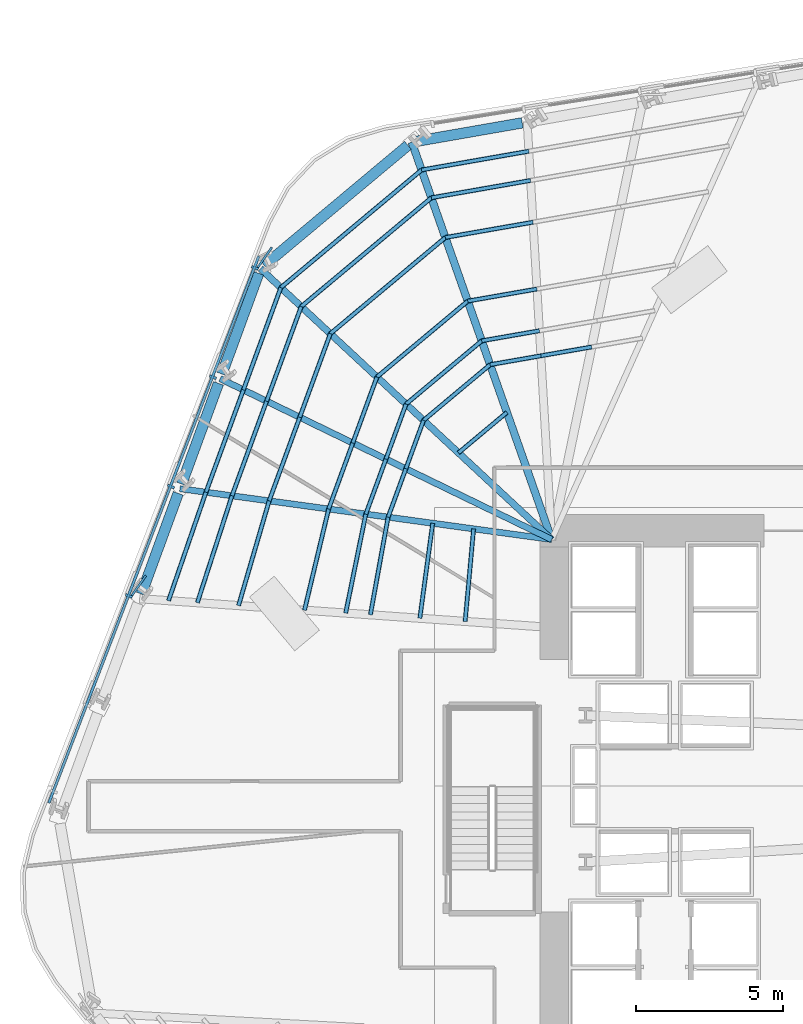
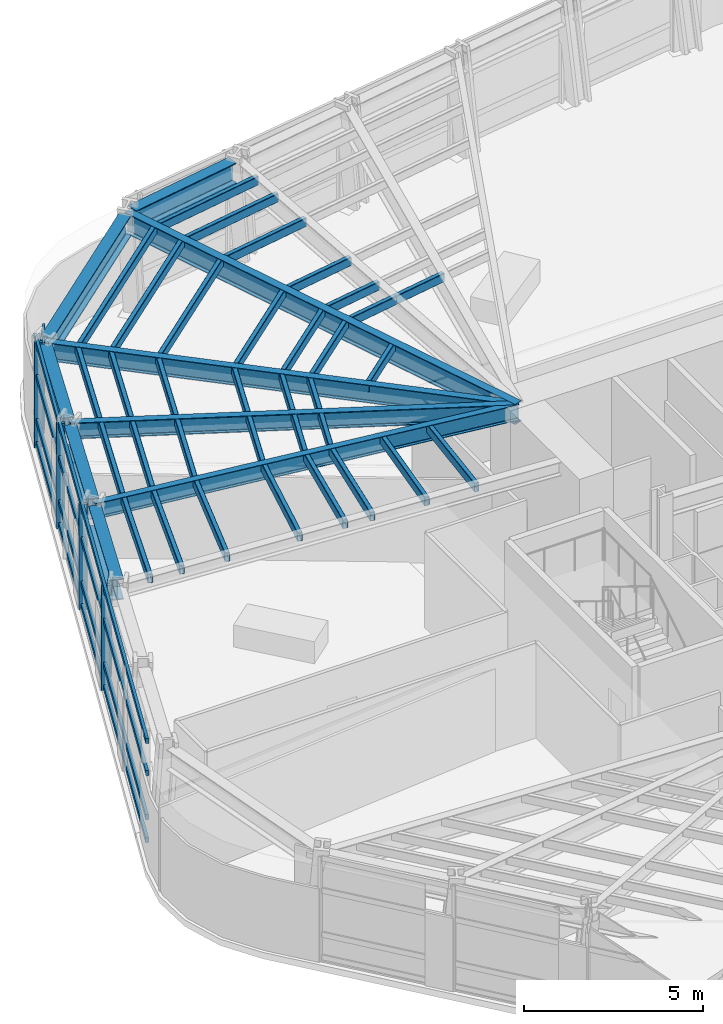
# One storey, part 5 of 16: 44 members, 9 beams, 1 element without a shape of its own.
"""IFC4 building model written with IfcOpenShell, lengths in metres."""

from ifc_helpers import new_model, si_unit, direction, frame, origin, origin_2d, place, context, subcontext, project, spatial, rectangle, hollow_rectangle, i_section, extrude, material, layer, layer_set, material_profile, profile_set, type_object, element, aggregate, save


model = new_model("IFC4")

# Units and contexts
model_context = context("Model", 3, precision=1e-05, world=origin(), true_north=direction((0.0, 1.0)))
body_context = subcontext(model_context, "Body", "Model", "MODEL_VIEW")
ifc_project = project(units=[si_unit("LENGTHUNIT", "METRE"), si_unit("AREAUNIT", "SQUARE_METRE"), si_unit("VOLUMEUNIT", "CUBIC_METRE"), si_unit("PLANEANGLEUNIT", "RADIAN"), si_unit("MASSUNIT", "GRAM", prefix="KILO")], contexts=[model_context])

# Site, building, storey
site_placement = place(None, origin())
site = spatial("IfcSite", under=ifc_project, at=site_placement, CompositionType="ELEMENT")
building_placement = place(site_placement, origin())
building = spatial("IfcBuilding", under=site, at=building_placement, Name="Valkerne Bourse Tower", CompositionType="ELEMENT")
storey_placement = place(building_placement, frame((0.0, 0.0, 62.0)))
storey = spatial("IfcBuildingStorey", under=building, at=storey_placement, Name="L15", CompositionType="ELEMENT", Elevation=62.0)

# Beams
ifc_material_1 = material(Name="Steel ASTM A992", Category="steel")
ifc_material_profile_1 = material_profile(ifc_material_1, i_section(OverallWidth=0.209228515625, OverallDepth=0.533447265625, WebThickness=0.01025390625, FlangeThickness=0.015625, FilletRadius=0.017822265625, at=origin_2d()), Name="W21X62")
ifc_profile_set_1 = profile_set([ifc_material_profile_1], Name="Steel ASTM A992")
beam_type_1 = type_object("IfcBeamType", Name="BM-W21X62", PredefinedType="JOIST", material=ifc_profile_set_1)
beam_1_placement = place(storey_placement, frame((24.918212890625, 37.13525390625, 3.313232421875), z_axis=(0.990767269743, -0.135573659704, 0.0), x_axis=(0.135573659704, 0.990767269743, 0.0)))
element("IfcBeam", 1, at=beam_1_placement, inside=storey, type_object=beam_type_1, Name="L15 Radial Composite Floor Beam 14", PredefinedType="JOIST", context=body_context, shape_type="SweptSolid", body=[
    extrude(i_section(OverallWidth=0.209228515625, OverallDepth=0.533447265625, WebThickness=0.01025390625, FlangeThickness=0.015625, FilletRadius=0.017822265625, at=origin_2d()), origin(), (0.0, 0.0, 1.0), 12.800048828125),
])
ifc_material_profile_2 = material_profile(ifc_material_1, i_section(OverallWidth=0.2138671875, OverallDepth=0.548583984375, WebThickness=0.0146484375, FlangeThickness=0.023681640625, FilletRadius=0.017822265625, at=origin_2d()), Name="W21X93")
ifc_profile_set_2 = profile_set([ifc_material_profile_2], Name="Steel ASTM A992")
beam_type_2 = type_object("IfcBeamType", Name="BM-W21X93", PredefinedType="BEAM", material=ifc_profile_set_2)
beam_2_placement = place(storey_placement, frame((26.29150390625, 40.8876953125, 3.3056640625), z_axis=(0.899662945476, -0.436585140078, 0.0), x_axis=(0.436585140078, 0.899662945476, 0.0)))
element("IfcBeam", 2, at=beam_2_placement, inside=storey, type_object=beam_type_2, Name="L15 Radial Composite Floor Beam 13", PredefinedType="BEAM", context=body_context, shape_type="SweptSolid", body=[
    extrude(i_section(OverallWidth=0.2138671875, OverallDepth=0.548583984375, WebThickness=0.0146484375, FlangeThickness=0.023681640625, FilletRadius=0.017822265625, at=origin_2d()), origin(), (0.0, 0.0, 1.0), 12.56982421875),
])
ifc_material_profile_3 = material_profile(ifc_material_1, i_section(OverallWidth=0.228271484375, OverallDepth=0.607177734375, WebThickness=0.01123046875, FlangeThickness=0.017333984375, FilletRadius=0.017822265625, at=origin_2d()), Name="W24X76")
ifc_profile_set_3 = profile_set([ifc_material_profile_3], Name="Steel ASTM A992")
beam_type_3 = type_object("IfcBeamType", Name="BM-W24X76", PredefinedType="JOIST", material=ifc_profile_set_3)
beam_3_placement = place(storey_placement, frame((27.664794921875, 44.640380859375, 3.2763671875), z_axis=(0.732247878881, -0.68103821029, 0.0), x_axis=(0.68103821029, 0.732247878881, 0.0)))
element("IfcBeam", 3, at=beam_3_placement, inside=storey, type_object=beam_type_3, Name="L15 Radial Composite Floor Beam 12", PredefinedType="JOIST", context=body_context, shape_type="SweptSolid", body=[
    extrude(i_section(OverallWidth=0.228271484375, OverallDepth=0.607177734375, WebThickness=0.01123046875, FlangeThickness=0.017333984375, FilletRadius=0.017822265625, at=origin_2d()), origin(), (0.0, 0.0, 1.0), 13.568115234375),
])
ifc_material_profile_4 = material_profile(ifc_material_1, i_section(OverallWidth=0.255859375, OverallDepth=0.693359375, WebThickness=0.014404296875, FlangeThickness=0.023681640625, FilletRadius=0.02294921875, at=origin_2d()), Name="W27X114")
ifc_profile_set_4 = profile_set([ifc_material_profile_4], Name="Steel ASTM A992")
beam_type_4 = type_object("IfcBeamType", Name="BM-W27X114", PredefinedType="BEAM", material=ifc_profile_set_4)
beam_4_placement = place(storey_placement, frame((32.826904296875, 48.956787109375, 3.2333984375), z_axis=(0.332102982325, -0.943243133625, 0.0), x_axis=(0.943243133625, 0.332102982325, 0.0)))
element("IfcBeam", 4, at=beam_4_placement, inside=storey, type_object=beam_type_4, Name="L15 Radial Composite Floor Beam 11", PredefinedType="BEAM", context=body_context, shape_type="SweptSolid", body=[
    extrude(i_section(OverallWidth=0.255859375, OverallDepth=0.693359375, WebThickness=0.014404296875, FlangeThickness=0.023681640625, FilletRadius=0.02294921875, at=origin_2d()), origin(), (0.0, 0.0, 1.0), 14.37255859375),
])
ifc_material_profile_5 = material_profile(ifc_material_1, i_section(OverallWidth=0.358154296875, OverallDepth=0.7060546875, WebThickness=0.018310546875, FlangeThickness=0.0302734375, FilletRadius=0.02294921875, at=origin_2d()), Name="W27X178")
ifc_profile_set_5 = profile_set([ifc_material_profile_5], Name="Steel ASTM A992")
beam_type_5 = type_object("IfcBeamType", Name="BM-W27X178", PredefinedType="SPANDREL", material=ifc_profile_set_5)
beam_5_placement = place(storey_placement, frame((36.595947265625, 49.614501953125, 3.22705078125), z_axis=(-0.985116520331, -0.171887874412, 0.0), x_axis=(0.171887874412, -0.985116520331, 0.0)))
element("IfcBeam", 5, at=beam_5_placement, inside=storey, type_object=beam_type_5, Name="L15 Hexagonal Spandrel Ring Beam 10", PredefinedType="SPANDREL", context=body_context, shape_type="SweptSolid", body=[
    extrude(i_section(OverallWidth=0.358154296875, OverallDepth=0.7060546875, WebThickness=0.018310546875, FlangeThickness=0.0302734375, FilletRadius=0.02294921875, at=origin_2d()), origin(), (0.0, 0.0, 1.0), 3.656005859375),
])
beam_6_placement = place(storey_placement, frame((32.696533203125, 48.847900390625, 3.22705078125), z_axis=(-0.767149008473, -0.641468938296, 0.0), x_axis=(0.641468938296, -0.767149008473, 0.0)))
element("IfcBeam", 6, at=beam_6_placement, inside=storey, type_object=beam_type_5, Name="L15 Hexagonal Spandrel Ring Beam 11", PredefinedType="SPANDREL", context=body_context, shape_type="SweptSolid", body=[
    extrude(i_section(OverallWidth=0.358154296875, OverallDepth=0.7060546875, WebThickness=0.018310546875, FlangeThickness=0.0302734375, FilletRadius=0.02294921875, at=origin_2d()), origin(), (0.0, 0.0, 1.0), 6.38916015625),
])
beam_7_placement = place(storey_placement, frame((27.606201171875, 44.48095703125, 3.22705078125), z_axis=(-0.343618876772, -0.939109188287, 0.0), x_axis=(0.939109188287, -0.343618876772, 0.0)))
element("IfcBeam", 7, at=beam_7_placement, inside=storey, type_object=beam_type_5, Name="L15 Hexagonal Spandrel Ring Beam 12", PredefinedType="SPANDREL", context=body_context, shape_type="SweptSolid", body=[
    extrude(i_section(OverallWidth=0.358154296875, OverallDepth=0.7060546875, WebThickness=0.018310546875, FlangeThickness=0.0302734375, FilletRadius=0.02294921875, at=origin_2d()), origin(), (0.0, 0.0, 1.0), 3.65625),
])
for number, where, z_axis, x_axis, name in (
    (8, (26.23291015625, 40.728271484375, 3.22705078125), (-0.343640425704, -0.93910130328, 0.0), (0.93910130328, -0.343640425704, 0.0), "L15 Hexagonal Spandrel Ring Beam 13"),
    (9, (24.859619140625, 36.9755859375, 3.22705078125), (-0.343640425704, -0.93910130328, 0.0), (0.93910130328, -0.343640425704, 0.0), "L15 Hexagonal Spandrel Ring Beam 14"),
):
    element("IfcBeam", number, at=place(storey_placement, frame(where, z_axis=z_axis, x_axis=x_axis)), inside=storey, type_object=beam_type_5, Name=name, PredefinedType="SPANDREL", context=body_context, shape_type="SweptSolid", body=[
        extrude(i_section(OverallWidth=0.358154296875, OverallDepth=0.7060546875, WebThickness=0.018310546875, FlangeThickness=0.0302734375, FilletRadius=0.02294921875, at=origin_2d()), origin(), (0.0, 0.0, 1.0), 3.656005859375),
    ])

# Curtain wall, members
ifc_material_2 = material(Name="Aluminium AA 6063-T6", Category="aluminium")
ifc_layer = layer(ifc_material_2, 0.22509765625)
ifc_layer_set = layer_set([ifc_layer], Name="Aluminium AA 6063-T6")
curtain_wall_type = type_object("IfcCurtainWallType", Name="CW-01", PredefinedType="NOTDEFINED", material=ifc_layer_set)
curtain_wall_placement = place(storey_placement, origin())
curtain_wall = element("IfcCurtainWall", 10, at=curtain_wall_placement, inside=storey, type_object=curtain_wall_type, Name="L15 Hexagonal Stick Curtain Wall Face 3", PredefinedType="NOTDEFINED")
ifc_material_profile_6 = material_profile(ifc_material_2, rectangle(XDim=0.090087890625, YDim=0.239990234375, at=origin_2d()), Name="CWM-90X240")
ifc_profile_set_6 = profile_set([ifc_material_profile_6], Name="Aluminium AA 6063-T6")
member_type_1 = type_object("IfcMemberType", Name="CW-MUL-240X90", PredefinedType="MULLION", material=ifc_profile_set_6)
member_1_placement = place(storey_placement, frame((27.476318359375, 44.66845703125, 0.0), z_axis=(0.0, 0.0, 1.0), x_axis=(-0.358366906367, -0.933580826935, 0.0)))
member_1 = element("IfcMember", 11, at=member_1_placement, type_object=member_type_1, Name="CW-L15-F3 Jamb Mullion 00A", PredefinedType="MULLION", context=body_context, shape_type="SweptSolid", body=[
    extrude(rectangle(XDim=0.090087890625, YDim=0.239990234375, at=origin_2d()), origin(), (0.0, 0.0, 1.0), 3.580078125),
])
member_2_placement = place(storey_placement, frame((26.044189453125, 40.93798828125, 0.0), z_axis=(0.0, 0.0, 1.0), x_axis=(-0.358380344872, -0.933575668283, 0.0)))
member_2 = element("IfcMember", 12, at=member_2_placement, type_object=member_type_1, Name="CW-L15-F3 Jamb Mullion 01A", PredefinedType="MULLION", context=body_context, shape_type="SweptSolid", body=[
    extrude(rectangle(XDim=0.090087890625, YDim=0.239990234375, at=origin_2d()), origin(), (0.0, 0.0, 1.0), 3.580078125),
])
member_3_placement = place(storey_placement, frame((24.612060546875, 37.20751953125, 0.0), z_axis=(0.0, 0.0, 1.0), x_axis=(-0.358358533862, -0.933584040785, 0.0)))
member_3 = element("IfcMember", 13, at=member_3_placement, type_object=member_type_1, Name="CW-L15-F3 Jamb Mullion 02A", PredefinedType="MULLION", context=body_context, shape_type="SweptSolid", body=[
    extrude(rectangle(XDim=0.090087890625, YDim=0.239990234375, at=origin_2d()), origin(), (0.0, 0.0, 1.0), 3.580078125),
])
member_4_placement = place(storey_placement, frame((23.18017578125, 33.476806640625, 0.0), z_axis=(0.0, 0.0, 1.0), x_axis=(-0.358380344872, -0.933575668283, 0.0)))
member_4 = element("IfcMember", 14, at=member_4_placement, type_object=member_type_1, Name="CW-L15-F3 Jamb Mullion 03A", PredefinedType="MULLION", context=body_context, shape_type="SweptSolid", body=[
    extrude(rectangle(XDim=0.090087890625, YDim=0.239990234375, at=origin_2d()), origin(), (0.0, 0.0, 1.0), 3.580078125),
])
ifc_material_profile_7 = material_profile(ifc_material_2, rectangle(XDim=0.090087890625, YDim=0.179931640625, at=origin_2d()), Name="CWT-90X180")
ifc_profile_set_7 = profile_set([ifc_material_profile_7], Name="Aluminium AA 6063-T6")
member_type_2 = type_object("IfcMemberType", Name="CW-TRN-180X90", PredefinedType="USERDEFINED", material=ifc_profile_set_7)
member_5_placement = place(storey_placement, frame((27.60791015625, 45.06787109375, 0.1201171875), z_axis=(-0.358364074376, -0.933581914026, 0.0), x_axis=(0.933581914026, -0.358364074376, 0.0)))
member_5 = element("IfcMember", 15, at=member_5_placement, type_object=member_type_2, Name="CW-L15-F3 Continuous Face Transom 1", ObjectType="TRANSOM", PredefinedType="USERDEFINED", context=body_context, shape_type="SweptSolid", body=[
    extrude(rectangle(XDim=0.090087890625, YDim=0.179931640625, at=origin_2d()), origin(), (0.0, 0.0, 1.0), 19.980224609375),
])
member_6_placement = place(storey_placement, frame((27.60791015625, 45.06787109375, 0.89990234375), z_axis=(-0.358364074376, -0.933581914026, 0.0), x_axis=(0.933581914026, -0.358364074376, 0.0)))
member_6 = element("IfcMember", 16, at=member_6_placement, type_object=member_type_2, Name="CW-L15-F3 Continuous Face Transom 2", ObjectType="TRANSOM", PredefinedType="USERDEFINED", context=body_context, shape_type="SweptSolid", body=[
    extrude(rectangle(XDim=0.090087890625, YDim=0.179931640625, at=origin_2d()), origin(), (0.0, 0.0, 1.0), 19.980224609375),
])
member_7_placement = place(storey_placement, frame((27.60791015625, 45.06787109375, 2.39990234375), z_axis=(-0.358364074376, -0.933581914026, 0.0), x_axis=(0.933581914026, -0.358364074376, 0.0)))
member_7 = element("IfcMember", 17, at=member_7_placement, type_object=member_type_2, Name="CW-L15-F3 Continuous Face Transom 3", ObjectType="TRANSOM", PredefinedType="USERDEFINED", context=body_context, shape_type="SweptSolid", body=[
    extrude(rectangle(XDim=0.090087890625, YDim=0.179931640625, at=origin_2d()), origin(), (0.0, 0.0, 1.0), 19.980224609375),
])
member_8_placement = place(storey_placement, frame((27.60791015625, 45.06787109375, 3.5), z_axis=(-0.358364074376, -0.933581914026, 0.0), x_axis=(0.933581914026, -0.358364074376, 0.0)))
member_8 = element("IfcMember", 18, at=member_8_placement, type_object=member_type_2, Name="CW-L15-F3 Continuous Face Transom 4", ObjectType="TRANSOM", PredefinedType="USERDEFINED", context=body_context, shape_type="SweptSolid", body=[
    extrude(rectangle(XDim=0.090087890625, YDim=0.179931640625, at=origin_2d()), origin(), (0.0, 0.0, 1.0), 19.980224609375),
])
aggregate(curtain_wall, [member_5, member_6, member_7, member_8, member_1, member_2, member_3, member_4])

# Members
ifc_material_3 = material(Name="Bronze Anodised Aluminium AA 6063-T6", Category="aluminium")
ifc_material_profile_8 = material_profile(ifc_material_3, rectangle(XDim=0.070068359375, YDim=0.89990234375, at=origin_2d()), Name="FIN-70X900")
ifc_profile_set_8 = profile_set([ifc_material_profile_8], Name="Bronze Anodised Aluminium AA 6063-T6")
member_type_3 = type_object("IfcMemberType", Name="FIN-SOLAR-900", PredefinedType="USERDEFINED", material=ifc_profile_set_8)
for number, where, z_axis, x_axis, name in (
    (19, (27.794677734375, 44.99609375, 0.00390625), (0.0, 0.0, 1.0), (-0.819200712655, 0.573506924444, 0.0), "L15 Bronze Anodised Solar Fin F3-00"),
    (20, (23.49853515625, 33.804443359375, 0.00390625), (0.0, 0.0, 1.0), (-0.819192404364, 0.573518791874, 0.0), "L15 Bronze Anodised Solar Fin F3-03"),
):
    element("IfcMember", number, at=place(storey_placement, frame(where, z_axis=z_axis, x_axis=x_axis)), inside=storey, type_object=member_type_3, Name=name, ObjectType="SOLAR_FIN", PredefinedType="USERDEFINED", context=body_context, shape_type="SweptSolid", body=[
        extrude(rectangle(XDim=0.070068359375, YDim=0.89990234375, at=origin_2d()), origin(), (0.0, 0.0, 1.0), 3.572021484375),
    ])
ifc_material_4 = material(Name="Steel ASTM A500 Grade C", Category="steel")
ifc_material_profile_9 = material_profile(ifc_material_4, hollow_rectangle(XDim=0.14990234375, YDim=0.300048828125, WallThickness=0.012451171875, OuterFilletRadius=0.02490234375, at=origin_2d()), Name="HSS300X150X12.5")
ifc_profile_set_9 = profile_set([ifc_material_profile_9], Name="Steel ASTM A500 Grade C")
member_type_4 = type_object("IfcMemberType", Name="MBR-HSS300X150X12.5", PredefinedType="PURLIN", material=ifc_profile_set_9)
member_9_placement = place(storey_placement, frame((36.072509765625, 39.73828125, 3.419921875), z_axis=(-0.767123534209, -0.641499402387, 0.0), x_axis=(0.641499402387, -0.767123534209, 0.0)))
element("IfcMember", 21, at=member_9_placement, inside=storey, type_object=member_type_4, Name="L15 Secondary Composite Floor Purlin I-11", PredefinedType="PURLIN", context=body_context, shape_type="SweptSolid", body=[
    extrude(hollow_rectangle(XDim=0.14990234375, YDim=0.300048828125, WallThickness=0.012451171875, OuterFilletRadius=0.02490234375, at=origin_2d()), origin(), (0.0, 0.0, 1.0), 2.1533203125),
])
member_10_placement = place(storey_placement, frame((33.541748046875, 35.955322265625, 3.419921875), z_axis=(-0.134363672974, -0.99093208818, 0.0), x_axis=(0.99093208818, -0.134363672974, 0.0)))
element("IfcMember", 22, at=member_10_placement, inside=storey, type_object=member_type_4, Name="L15 Secondary Composite Floor Purlin I-14", PredefinedType="PURLIN", context=body_context, shape_type="SweptSolid", body=[
    extrude(hollow_rectangle(XDim=0.14990234375, YDim=0.300048828125, WallThickness=0.012451171875, OuterFilletRadius=0.02490234375, at=origin_2d()), origin(), (0.0, 0.0, 1.0), 3.2705078125),
])
for number, where, z_axis, x_axis, name in (
    (23, (38.964111328125, 41.969482421875, 3.419921875), (-0.985115809516, -0.171891948158, 0.0), (0.171891948158, -0.985115809516, 0.0), "L15 Secondary Composite Floor Purlin K-09"),
    (24, (37.23193359375, 41.667236328125, 3.419921875), (-0.985115809516, -0.171891948158, 0.0), (0.171891948158, -0.985115809516, 0.0), "L15 Secondary Composite Floor Purlin K-10"),
):
    element("IfcMember", number, at=place(storey_placement, frame(where, z_axis=z_axis, x_axis=x_axis)), inside=storey, type_object=member_type_4, Name=name, PredefinedType="PURLIN", context=body_context, shape_type="SweptSolid", body=[
        extrude(hollow_rectangle(XDim=0.14990234375, YDim=0.300048828125, WallThickness=0.012451171875, OuterFilletRadius=0.02490234375, at=origin_2d()), origin(), (0.0, 0.0, 1.0), 1.75830078125),
    ])
member_11_placement = place(storey_placement, frame((35.499755859375, 41.364990234375, 3.419921875), z_axis=(-0.767145485318, -0.641473151703, 0.0), x_axis=(0.641473151703, -0.767145485318, 0.0)))
element("IfcMember", 25, at=member_11_placement, inside=storey, type_object=member_type_4, Name="L15 Secondary Composite Floor Purlin K-11", PredefinedType="PURLIN", context=body_context, shape_type="SweptSolid", body=[
    extrude(hollow_rectangle(XDim=0.14990234375, YDim=0.300048828125, WallThickness=0.012451171875, OuterFilletRadius=0.02490234375, at=origin_2d()), origin(), (0.0, 0.0, 1.0), 2.960693359375),
])
for number, where, z_axis, x_axis, name in (
    (26, (33.228515625, 39.4658203125, 3.419921875), (-0.343671138378, -0.939090064182, 0.0), (0.939090064182, -0.343671138378, 0.0), "L15 Secondary Composite Floor Purlin K-12"),
    (27, (32.624267578125, 37.814697265625, 3.419921875), (-0.343671138378, -0.939090064182, 0.0), (0.939090064182, -0.343671138378, 0.0), "L15 Secondary Composite Floor Purlin K-13"),
):
    element("IfcMember", number, at=place(storey_placement, frame(where, z_axis=z_axis, x_axis=x_axis)), inside=storey, type_object=member_type_4, Name=name, PredefinedType="PURLIN", context=body_context, shape_type="SweptSolid", body=[
        extrude(hollow_rectangle(XDim=0.14990234375, YDim=0.300048828125, WallThickness=0.012451171875, OuterFilletRadius=0.02490234375, at=origin_2d()), origin(), (0.0, 0.0, 1.0), 1.75830078125),
    ])
member_12_placement = place(storey_placement, frame((32.02001953125, 36.16357421875, 3.419921875), z_axis=(-0.178472951658, -0.983944818334, 0.0), x_axis=(0.983944818334, -0.178472951658, 0.0)))
element("IfcMember", 28, at=member_12_placement, inside=storey, type_object=member_type_4, Name="L15 Secondary Composite Floor Purlin K-14", PredefinedType="PURLIN", context=body_context, shape_type="SweptSolid", body=[
    extrude(hollow_rectangle(XDim=0.14990234375, YDim=0.300048828125, WallThickness=0.012451171875, OuterFilletRadius=0.02490234375, at=origin_2d()), origin(), (0.0, 0.0, 1.0), 3.3857421875),
])
member_13_placement = place(storey_placement, frame((37.181640625, 42.52197265625, 3.419921875), z_axis=(-0.985110241779, -0.171923853905, 0.0), x_axis=(0.171923853905, -0.985110241779, 0.0)))
element("IfcMember", 29, at=member_13_placement, inside=storey, type_object=member_type_4, Name="L15 Secondary Composite Floor Purlin M-10", PredefinedType="PURLIN", context=body_context, shape_type="SweptSolid", body=[
    extrude(hollow_rectangle(XDim=0.14990234375, YDim=0.300048828125, WallThickness=0.012451171875, OuterFilletRadius=0.02490234375, at=origin_2d()), origin(), (0.0, 0.0, 1.0), 1.998046875),
])
member_14_placement = place(storey_placement, frame((35.21337890625, 42.178466796875, 3.419921875), z_axis=(-0.767149584769, -0.641468249088, 0.0), x_axis=(0.641468249088, -0.767149584769, 0.0)))
element("IfcMember", 30, at=member_14_placement, inside=storey, type_object=member_type_4, Name="L15 Secondary Composite Floor Purlin M-11", PredefinedType="PURLIN", context=body_context, shape_type="SweptSolid", body=[
    extrude(hollow_rectangle(XDim=0.14990234375, YDim=0.300048828125, WallThickness=0.012451171875, OuterFilletRadius=0.02490234375, at=origin_2d()), origin(), (0.0, 0.0, 1.0), 3.364501953125),
])
for number, where, z_axis, x_axis, name in (
    (31, (32.63232421875, 40.020263671875, 3.419921875), (-0.343586787945, -0.939120928928, 0.0), (0.939120928928, -0.343586787945, 0.0), "L15 Secondary Composite Floor Purlin M-12"),
    (32, (31.94580078125, 38.143798828125, 3.419921875), (-0.343733981743, -0.939067063524, 0.0), (0.939067063524, -0.343733981743, 0.0), "L15 Secondary Composite Floor Purlin M-13"),
):
    element("IfcMember", number, at=place(storey_placement, frame(where, z_axis=z_axis, x_axis=x_axis)), inside=storey, type_object=member_type_4, Name=name, PredefinedType="PURLIN", context=body_context, shape_type="SweptSolid", body=[
        extrude(hollow_rectangle(XDim=0.14990234375, YDim=0.300048828125, WallThickness=0.012451171875, OuterFilletRadius=0.02490234375, at=origin_2d()), origin(), (0.0, 0.0, 1.0), 1.998046875),
    ])
member_15_placement = place(storey_placement, frame((31.259033203125, 36.267578125, 3.419921875), z_axis=(-0.199263018037, -0.979946044251, 0.0), x_axis=(0.979946044251, -0.199263018037, 0.0)))
element("IfcMember", 33, at=member_15_placement, inside=storey, type_object=member_type_4, Name="L15 Secondary Composite Floor Purlin M-14", PredefinedType="PURLIN", context=body_context, shape_type="SweptSolid", body=[
    extrude(hollow_rectangle(XDim=0.14990234375, YDim=0.300048828125, WallThickness=0.012451171875, OuterFilletRadius=0.02490234375, at=origin_2d()), origin(), (0.0, 0.0, 1.0), 3.4453125),
])
member_16_placement = place(storey_placement, frame((36.964111328125, 46.225341796875, 3.419921875), z_axis=(-0.985104769512, -0.171955206625, 0.0), x_axis=(0.171955206625, -0.985104769512, 0.0)))
element("IfcMember", 34, at=member_16_placement, inside=storey, type_object=member_type_4, Name="L15 Secondary Composite Floor Purlin O-10", PredefinedType="PURLIN", context=body_context, shape_type="SweptSolid", body=[
    extrude(hollow_rectangle(XDim=0.14990234375, YDim=0.300048828125, WallThickness=0.012451171875, OuterFilletRadius=0.02490234375, at=origin_2d()), origin(), (0.0, 0.0, 1.0), 3.036865234375),
])
member_17_placement = place(storey_placement, frame((33.972412109375, 45.703125, 3.419921875), z_axis=(-0.76715973596, -0.641456108803, 0.0), x_axis=(0.641456108803, -0.76715973596, 0.0)))
element("IfcMember", 35, at=member_17_placement, inside=storey, type_object=member_type_4, Name="L15 Secondary Composite Floor Purlin O-11", PredefinedType="PURLIN", context=body_context, shape_type="SweptSolid", body=[
    extrude(hollow_rectangle(XDim=0.14990234375, YDim=0.300048828125, WallThickness=0.012451171875, OuterFilletRadius=0.02490234375, at=origin_2d()), origin(), (0.0, 0.0, 1.0), 5.11376953125),
])
for number, where, z_axis, x_axis, name in (
    (36, (30.04931640625, 42.4228515625, 3.419921875), (-0.343659345477, -0.93909437985, 0.0), (0.93909437985, -0.343659345477, 0.0), "L15 Secondary Composite Floor Purlin O-12"),
    (37, (29.005615234375, 39.57080078125, 3.419921875), (-0.343659345477, -0.93909437985, 0.0), (0.93909437985, -0.343659345477, 0.0), "L15 Secondary Composite Floor Purlin O-13"),
):
    element("IfcMember", number, at=place(storey_placement, frame(where, z_axis=z_axis, x_axis=x_axis)), inside=storey, type_object=member_type_4, Name=name, PredefinedType="PURLIN", context=body_context, shape_type="SweptSolid", body=[
        extrude(hollow_rectangle(XDim=0.14990234375, YDim=0.300048828125, WallThickness=0.012451171875, OuterFilletRadius=0.02490234375, at=origin_2d()), origin(), (0.0, 0.0, 1.0), 3.037109375),
    ])
member_18_placement = place(storey_placement, frame((27.9619140625, 36.71875, 3.419921875), z_axis=(-0.280460986531, -0.959865425481, 0.0), x_axis=(0.959865425481, -0.280460986531, 0.0)))
element("IfcMember", 38, at=member_18_placement, inside=storey, type_object=member_type_4, Name="L15 Secondary Composite Floor Purlin O-14", PredefinedType="PURLIN", context=body_context, shape_type="SweptSolid", body=[
    extrude(hollow_rectangle(XDim=0.14990234375, YDim=0.300048828125, WallThickness=0.012451171875, OuterFilletRadius=0.02490234375, at=origin_2d()), origin(), (0.0, 0.0, 1.0), 3.721435546875),
])
member_19_placement = place(storey_placement, frame((37.097900390625, 43.9462890625, 3.419921875), z_axis=(-0.985115935895, -0.171891223877, 0.0), x_axis=(0.171891223877, -0.985115935895, 0.0)))
element("IfcMember", 39, at=member_19_placement, inside=storey, type_object=member_type_4, Name="L15 Secondary Composite Floor Purlin Z-10", PredefinedType="PURLIN", context=body_context, shape_type="SweptSolid", body=[
    extrude(hollow_rectangle(XDim=0.14990234375, YDim=0.300048828125, WallThickness=0.012451171875, OuterFilletRadius=0.02490234375, at=origin_2d()), origin(), (0.0, 0.0, 1.0), 2.3974609375),
])
member_20_placement = place(storey_placement, frame((34.736083984375, 43.5341796875, 3.419921875), z_axis=(-0.767139631539, -0.641480152244, 0.0), x_axis=(0.641480152244, -0.767139631539, 0.0)))
element("IfcMember", 40, at=member_20_placement, inside=storey, type_object=member_type_4, Name="L15 Secondary Composite Floor Purlin Z-11", PredefinedType="PURLIN", context=body_context, shape_type="SweptSolid", body=[
    extrude(hollow_rectangle(XDim=0.14990234375, YDim=0.300048828125, WallThickness=0.012451171875, OuterFilletRadius=0.02490234375, at=origin_2d()), origin(), (0.0, 0.0, 1.0), 4.037353515625),
])
member_21_placement = place(storey_placement, frame((31.638916015625, 40.9443359375, 3.419921875), z_axis=(-0.343737031136, -0.939065947325, 0.0), x_axis=(0.939065947325, -0.343737031136, 0.0)))
element("IfcMember", 41, at=member_21_placement, inside=storey, type_object=member_type_4, Name="L15 Secondary Composite Floor Purlin Z-12", PredefinedType="PURLIN", context=body_context, shape_type="SweptSolid", body=[
    extrude(hollow_rectangle(XDim=0.14990234375, YDim=0.300048828125, WallThickness=0.012451171875, OuterFilletRadius=0.02490234375, at=origin_2d()), origin(), (0.0, 0.0, 1.0), 2.397705078125),
])
member_22_placement = place(storey_placement, frame((30.814697265625, 38.692626953125, 3.419921875), z_axis=(-0.343590293521, -0.93911964637, 0.0), x_axis=(0.93911964637, -0.343590293521, 0.0)))
element("IfcMember", 42, at=member_22_placement, inside=storey, type_object=member_type_4, Name="L15 Secondary Composite Floor Purlin Z-13", PredefinedType="PURLIN", context=body_context, shape_type="SweptSolid", body=[
    extrude(hollow_rectangle(XDim=0.14990234375, YDim=0.300048828125, WallThickness=0.012451171875, OuterFilletRadius=0.02490234375, at=origin_2d()), origin(), (0.0, 0.0, 1.0), 2.3974609375),
])
member_23_placement = place(storey_placement, frame((29.990966796875, 36.441162109375, 3.419921875), z_axis=(-0.232194051753, -0.972669482574, 0.0), x_axis=(0.972669482574, -0.232194051753, 0.0)))
element("IfcMember", 43, at=member_23_placement, inside=storey, type_object=member_type_4, Name="L15 Secondary Composite Floor Purlin Z-14", PredefinedType="PURLIN", context=body_context, shape_type="SweptSolid", body=[
    extrude(hollow_rectangle(XDim=0.14990234375, YDim=0.300048828125, WallThickness=0.012451171875, OuterFilletRadius=0.02490234375, at=origin_2d()), origin(), (0.0, 0.0, 1.0), 3.548583984375),
])
member_24_placement = place(storey_placement, frame((34.936767578125, 35.764404296875, 3.419921875), z_axis=(-0.09091750178, -0.995858427624, 0.0), x_axis=(0.995858427624, -0.09091750178, 0.0)))
element("IfcMember", 44, at=member_24_placement, inside=storey, type_object=member_type_4, Name="L15 Secondary Composite Floor Purlin S-14", PredefinedType="PURLIN", context=body_context, shape_type="SweptSolid", body=[
    extrude(hollow_rectangle(XDim=0.14990234375, YDim=0.300048828125, WallThickness=0.012451171875, OuterFilletRadius=0.02490234375, at=origin_2d()), origin(), (0.0, 0.0, 1.0), 3.17138671875),
])
member_25_placement = place(storey_placement, frame((36.880615234375, 47.649658203125, 3.419921875), z_axis=(-0.985111478941, -0.171916764912, 0.0), x_axis=(0.171916764912, -0.985111478941, 0.0)))
element("IfcMember", 45, at=member_25_placement, inside=storey, type_object=member_type_4, Name="L15 Secondary Composite Floor Purlin T-10", PredefinedType="PURLIN", context=body_context, shape_type="SweptSolid", body=[
    extrude(hollow_rectangle(XDim=0.14990234375, YDim=0.300048828125, WallThickness=0.012451171875, OuterFilletRadius=0.02490234375, at=origin_2d()), origin(), (0.0, 0.0, 1.0), 3.436767578125),
])
member_26_placement = place(storey_placement, frame((33.4951171875, 47.058837890625, 3.419921875), z_axis=(-0.767148210137, -0.641469893045, 0.0), x_axis=(0.641469893045, -0.767148210137, 0.0)))
element("IfcMember", 46, at=member_26_placement, inside=storey, type_object=member_type_4, Name="L15 Secondary Composite Floor Purlin T-11", PredefinedType="PURLIN", context=body_context, shape_type="SweptSolid", body=[
    extrude(hollow_rectangle(XDim=0.14990234375, YDim=0.300048828125, WallThickness=0.012451171875, OuterFilletRadius=0.02490234375, at=origin_2d()), origin(), (0.0, 0.0, 1.0), 5.786865234375),
])
member_27_placement = place(storey_placement, frame((29.0556640625, 43.3466796875, 3.419921875), z_axis=(-0.343693083765, -0.939082032717, 0.0), x_axis=(0.939082032717, -0.343693083765, 0.0)))
element("IfcMember", 47, at=member_27_placement, inside=storey, type_object=member_type_4, Name="L15 Secondary Composite Floor Purlin T-12", PredefinedType="PURLIN", context=body_context, shape_type="SweptSolid", body=[
    extrude(hollow_rectangle(XDim=0.14990234375, YDim=0.300048828125, WallThickness=0.012451171875, OuterFilletRadius=0.02490234375, at=origin_2d()), origin(), (0.0, 0.0, 1.0), 3.436767578125),
])
member_28_placement = place(storey_placement, frame((27.87451171875, 40.119384765625, 3.419921875), z_axis=(-0.343653359838, -0.939096570259, 0.0), x_axis=(0.939096570259, -0.343653359838, 0.0)))
element("IfcMember", 48, at=member_28_placement, inside=storey, type_object=member_type_4, Name="L15 Secondary Composite Floor Purlin T-13", PredefinedType="PURLIN", context=body_context, shape_type="SweptSolid", body=[
    extrude(hollow_rectangle(XDim=0.14990234375, YDim=0.300048828125, WallThickness=0.012451171875, OuterFilletRadius=0.02490234375, at=origin_2d()), origin(), (0.0, 0.0, 1.0), 3.436279296875),
])
member_29_placement = place(storey_placement, frame((26.693603515625, 36.892333984375, 3.419921875), z_axis=(-0.308039006779, -0.951373727986, 0.0), x_axis=(0.951373727986, -0.308039006779, 0.0)))
element("IfcMember", 49, at=member_29_placement, inside=storey, type_object=member_type_4, Name="L15 Secondary Composite Floor Purlin T-14", PredefinedType="PURLIN", context=body_context, shape_type="SweptSolid", body=[
    extrude(hollow_rectangle(XDim=0.14990234375, YDim=0.300048828125, WallThickness=0.012451171875, OuterFilletRadius=0.02490234375, at=origin_2d()), origin(), (0.0, 0.0, 1.0), 3.833740234375),
])
member_30_placement = place(storey_placement, frame((36.822021484375, 48.646728515625, 3.419921875), z_axis=(-0.985111784612, -0.171915013359, 0.0), x_axis=(0.171915013359, -0.985111784612, 0.0)))
element("IfcMember", 50, at=member_30_placement, inside=storey, type_object=member_type_4, Name="L15 Secondary Composite Floor Purlin U-10", PredefinedType="PURLIN", context=body_context, shape_type="SweptSolid", body=[
    extrude(hollow_rectangle(XDim=0.14990234375, YDim=0.300048828125, WallThickness=0.012451171875, OuterFilletRadius=0.02490234375, at=origin_2d()), origin(), (0.0, 0.0, 1.0), 3.716552734375),
])
member_31_placement = place(storey_placement, frame((33.160888671875, 48.0078125, 3.419921875), z_axis=(-0.767158548377, -0.64145752911, 0.0), x_axis=(0.64145752911, -0.767158548377, 0.0)))
element("IfcMember", 51, at=member_31_placement, inside=storey, type_object=member_type_4, Name="L15 Secondary Composite Floor Purlin U-11", PredefinedType="PURLIN", context=body_context, shape_type="SweptSolid", body=[
    extrude(hollow_rectangle(XDim=0.14990234375, YDim=0.300048828125, WallThickness=0.012451171875, OuterFilletRadius=0.02490234375, at=origin_2d()), origin(), (0.0, 0.0, 1.0), 6.2578125),
])
for number, where, z_axis, x_axis, name in (
    (52, (28.360107421875, 43.99365234375, 3.419921875), (-0.343646535333, -0.939099067593, 0.0), (0.939099067593, -0.343646535333, 0.0), "L15 Secondary Composite Floor Purlin U-12"),
    (53, (27.0830078125, 40.503662109375, 3.419921875), (-0.343646535333, -0.939099067593, 0.0), (0.939099067593, -0.343646535333, 0.0), "L15 Secondary Composite Floor Purlin U-13"),
):
    element("IfcMember", number, at=place(storey_placement, frame(where, z_axis=z_axis, x_axis=x_axis)), inside=storey, type_object=member_type_4, Name=name, PredefinedType="PURLIN", context=body_context, shape_type="SweptSolid", body=[
        extrude(hollow_rectangle(XDim=0.14990234375, YDim=0.300048828125, WallThickness=0.012451171875, OuterFilletRadius=0.02490234375, at=origin_2d()), origin(), (0.0, 0.0, 1.0), 3.71630859375),
    ])
member_32_placement = place(storey_placement, frame((25.805908203125, 37.013671875, 3.419921875), z_axis=(-0.326277083844, -0.945274174279, 0.0), x_axis=(0.945274174279, -0.326277083844, 0.0)))
element("IfcMember", 54, at=member_32_placement, inside=storey, type_object=member_type_4, Name="L15 Secondary Composite Floor Purlin U-14", PredefinedType="PURLIN", context=body_context, shape_type="SweptSolid", body=[
    extrude(hollow_rectangle(XDim=0.14990234375, YDim=0.300048828125, WallThickness=0.012451171875, OuterFilletRadius=0.02490234375, at=origin_2d()), origin(), (0.0, 0.0, 1.0), 3.9140625),
])

save(model, "model.ifc")
